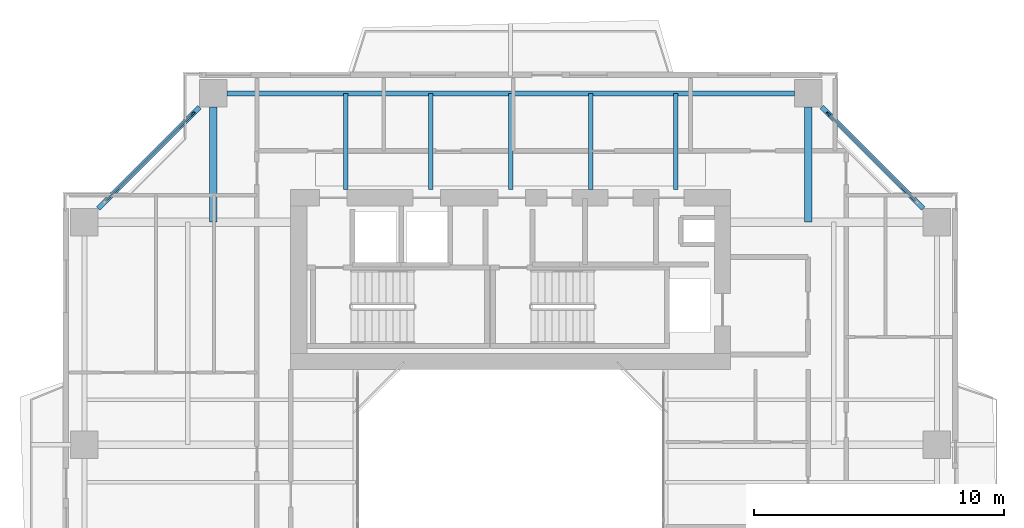
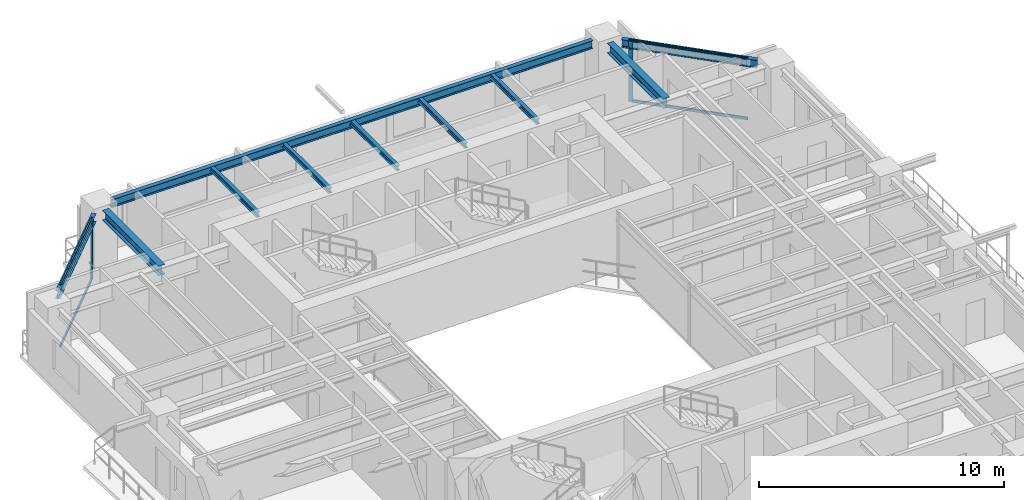
# One storey, part 8 of 17: 10 beams, 6 members, 2 elements without a shape of their own.
"""IFC4 building model written with IfcOpenShell, lengths in metres."""

from ifc_helpers import new_model, si_unit, direction, frame, origin, origin_2d, place, context, subcontext, project, spatial, rectangle, i_section, extrude, source, transform, mapped, material, layer, layer_set, material_profile, profile_set, type_object, element, aggregate, save


model = new_model("IFC4")

# Units and contexts
model_context = context("Model", 3, precision=1e-05, world=origin(), true_north=direction((0.0, 1.0)))
body_context = subcontext(model_context, "Body", "Model", "MODEL_VIEW")
ifc_project = project(units=[si_unit("LENGTHUNIT", "METRE"), si_unit("AREAUNIT", "SQUARE_METRE"), si_unit("VOLUMEUNIT", "CUBIC_METRE"), si_unit("PLANEANGLEUNIT", "RADIAN"), si_unit("MASSUNIT", "GRAM", prefix="KILO"), si_unit("THERMODYNAMICTEMPERATUREUNIT", "KELVIN"), si_unit("POWERUNIT", "WATT")], contexts=[model_context])

# Site, building, storey
site_placement = place(None, origin())
site = spatial("IfcSite", under=ifc_project, at=site_placement, CompositionType="ELEMENT")
building_placement = place(site_placement, origin())
building = spatial("IfcBuilding", under=site, at=building_placement, Name="Qiaomeng Ring Towers", CompositionType="ELEMENT")
storey_placement = place(building_placement, frame((0.0, 0.0, 119.75)))
storey = spatial("IfcBuildingStorey", under=building, at=storey_placement, Name="L34", CompositionType="ELEMENT", Elevation=119.75)

# Beams
ifc_material_1 = material(Name="Steel Q355B", Category="steel")
ifc_material_profile_1 = material_profile(ifc_material_1, i_section(OverallWidth=0.199951171875, OverallDepth=0.39990234375, WebThickness=0.008056640625, FlangeThickness=0.012939453125, FilletRadius=0.01611328125, at=origin_2d()), Name="HN 400x200x8x13")
ifc_profile_set_1 = profile_set([ifc_material_profile_1], Name="Steel Q355B")
beam_type_1 = type_object("IfcBeamType", Name="STR-BM-HN400", PredefinedType="SPANDREL", material=ifc_profile_set_1)
shared_shape_1 = source(origin(), body_context, "Body", "SweptSolid", [
    extrude(i_section(OverallWidth=0.199951171875, OverallDepth=0.39990234375, WebThickness=0.008056640625, FlangeThickness=0.012939453125, FilletRadius=0.01611328125, at=origin_2d()), origin(), (0.0, 0.0, 1.0), 22.7021484375),
])
beam_placement = place(storey_placement, frame((30.35107421875, 40.050048828125, 2.8701171875), z_axis=(-1.0, 0.0, 0.0), x_axis=(0.0, -1.0, 0.0)))
element("IfcBeam", 1, at=beam_placement, inside=storey, type_object=beam_type_1, Name="L34 beam STR-SP-L34-T1-N2-N1", PredefinedType="SPANDREL", context=body_context, shape_type="MappedRepresentation", body=[
    mapped(shared_shape_1, transform((0.0, 0.0, 0.0), x_axis=(1.0, 0.0, 0.0), y_axis=(0.0, 1.0, 0.0), z_axis=(0.0, 0.0, 1.0), scale=1.0)),
])
shared_shape_2 = source(origin(), body_context, "Body", "SweptSolid", [
    extrude(i_section(OverallWidth=0.199951171875, OverallDepth=0.39990234375, WebThickness=0.008056640625, FlangeThickness=0.012939453125, FilletRadius=0.01611328125, at=origin_2d()), origin(), (0.0, 0.0, 1.0), 5.729736328125),
])
for number, where, z_axis, x_axis, name in (
    (2, (35.500732421875, 35.44921875, 2.8701171875), (-0.707106781187, 0.707106781187, 0.0), (-0.707106781187, -0.707106781187, 0.0), "L34 beam STR-SP-L34-T1-E4-N2"),
    (3, (6.55078125, 39.500732421875, 2.8701171875), (-0.707106781187, -0.707106781187, 0.0), (0.707106781187, -0.707106781187, 0.0), "L34 beam STR-SP-L34-T1-N1-W4"),
):
    element("IfcBeam", number, at=place(storey_placement, frame(where, z_axis=z_axis, x_axis=x_axis)), inside=storey, type_object=beam_type_1, Name=name, PredefinedType="SPANDREL", context=body_context, shape_type="MappedRepresentation", body=[
        mapped(shared_shape_2, transform((0.0, 0.0, 0.0), x_axis=(1.0, 0.0, 0.0), y_axis=(0.0, 1.0, 0.0), z_axis=(0.0, 0.0, 1.0), scale=1.0)),
    ])
ifc_material_profile_2 = material_profile(ifc_material_1, i_section(OverallWidth=0.300048828125, OverallDepth=0.488037109375, WebThickness=0.010986328125, FlangeThickness=0.01806640625, FilletRadius=0.02587890625, at=origin_2d()), Name="HM 488x300x11x18")
ifc_profile_set_2 = profile_set([ifc_material_profile_2], Name="Steel Q355B")
beam_type_2 = type_object("IfcBeamType", Name="STR-BM-HM488", PredefinedType="BEAM", material=ifc_profile_set_2)
shared_shape_3 = source(origin(), body_context, "Body", "SweptSolid", [
    extrude(i_section(OverallWidth=0.300048828125, OverallDepth=0.488037109375, WebThickness=0.010986328125, FlangeThickness=0.01806640625, FilletRadius=0.02587890625, at=origin_2d()), origin(), (0.0, 0.0, 1.0), 4.60107421875),
])
for number, where, z_axis, x_axis, name in (
    (4, (7.10009765625, 39.5009765625, 2.825927734375), (0.0, -1.0, 0.0), (1.0, 0.0, 0.0), "L34 beam STR-BM-L34-T1-RAD-N1"),
    (5, (30.89990234375, 39.5009765625, 2.825927734375), (0.0, -1.0, 0.0), (1.0, 0.0, 0.0), "L34 beam STR-BM-L34-T1-RAD-N2"),
):
    element("IfcBeam", number, at=place(storey_placement, frame(where, z_axis=z_axis, x_axis=x_axis)), inside=storey, type_object=beam_type_2, Name=name, PredefinedType="BEAM", context=body_context, shape_type="MappedRepresentation", body=[
        mapped(shared_shape_3, transform((0.0, 0.0, 0.0), x_axis=(1.0, 0.0, 0.0), y_axis=(0.0, 1.0, 0.0), z_axis=(0.0, 0.0, 1.0), scale=1.0)),
    ])
ifc_material_profile_3 = material_profile(ifc_material_1, i_section(OverallWidth=0.175048828125, OverallDepth=0.243896484375, WebThickness=0.007080078125, FlangeThickness=0.010986328125, FilletRadius=0.01611328125, at=origin_2d()), Name="HM 244x175x7x11")
ifc_profile_set_3 = profile_set([ifc_material_profile_3], Name="Steel Q355B")
beam_type_3 = type_object("IfcBeamType", Name="STR-BM-HM244", PredefinedType="JOIST", material=ifc_profile_set_3)
shared_shape_4 = source(origin(), body_context, "Body", "SweptSolid", [
    extrude(i_section(OverallWidth=0.175048828125, OverallDepth=0.243896484375, WebThickness=0.007080078125, FlangeThickness=0.010986328125, FilletRadius=0.01611328125, at=origin_2d()), origin(), (0.0, 0.0, 1.0), 3.85009765625),
])
for number, where, z_axis, x_axis, name in (
    (6, (12.39990234375, 36.199951171875, 2.947998046875), (0.0, 1.0, 0.0), (-1.0, 0.0, 0.0), "L34 beam STR-JST-L34-T1N-1"),
    (7, (15.800048828125, 36.199951171875, 2.947998046875), (0.0, 1.0, 0.0), (-1.0, 0.0, 0.0), "L34 beam STR-JST-L34-T1N-2"),
    (8, (19.0, 36.199951171875, 2.947998046875), (0.0, 1.0, 0.0), (-1.0, 0.0, 0.0), "L34 beam STR-JST-L34-T1N-3"),
    (9, (22.199951171875, 36.199951171875, 2.947998046875), (0.0, 1.0, 0.0), (-1.0, 0.0, 0.0), "L34 beam STR-JST-L34-T1N-4"),
    (10, (25.60009765625, 36.199951171875, 2.947998046875), (0.0, 1.0, 0.0), (-1.0, 0.0, 0.0), "L34 beam STR-JST-L34-T1N-5"),
):
    element("IfcBeam", number, at=place(storey_placement, frame(where, z_axis=z_axis, x_axis=x_axis)), inside=storey, type_object=beam_type_3, Name=name, PredefinedType="JOIST", context=body_context, shape_type="MappedRepresentation", body=[
        mapped(shared_shape_4, transform((0.0, 0.0, 0.0), x_axis=(1.0, 0.0, 0.0), y_axis=(0.0, 1.0, 0.0), z_axis=(0.0, 0.0, 1.0), scale=1.0)),
    ])

# Curtain wall, member
ifc_material_2 = material(Name="Fluorocarbon dark-grey aluminium", Category="aluminium")
ifc_layer = layer(ifc_material_2, 0.14990234375, Name="Fluorocarbon dark-grey aluminium")
ifc_layer_set = layer_set([ifc_layer], Name="Fluorocarbon dark-grey aluminium")
curtain_wall_type = type_object("IfcCurtainWallType", Name="ARC-CW-3", PredefinedType="NOTDEFINED", material=ifc_layer_set)
curtain_wall_1_placement = place(storey_placement, origin())
curtain_wall_1 = element("IfcCurtainWall", 11, at=curtain_wall_1_placement, inside=storey, type_object=curtain_wall_type, Name="L34 Curtain Wall CW3", PredefinedType="NOTDEFINED")
ifc_material_profile_4 = material_profile(ifc_material_2, rectangle(XDim=0.070068359375, YDim=0.179931640625, at=origin_2d()), Name="ALU MULL 70x180")
ifc_profile_set_4 = profile_set([ifc_material_profile_4], Name="Fluorocarbon dark-grey aluminium")
member_type_1 = type_object("IfcMemberType", Name="ARC-CWM-160", PredefinedType="MULLION", material=ifc_profile_set_4)
shared_shape_5 = source(origin(), body_context, "Body", "SweptSolid", [
    extrude(rectangle(XDim=0.070068359375, YDim=0.179931640625, at=origin_2d()), origin(), (0.0, 0.0, 1.0), 3.070068359375),
])
member_1_placement = place(storey_placement, frame((31.71484375, 39.2353515625, 0.0), z_axis=(0.0, 0.0, 1.0), x_axis=(-0.707106781187, -0.707106781187, 0.0)))
member_1 = element("IfcMember", 12, at=member_1_placement, type_object=member_type_1, Name="CW3 mullion 2", PredefinedType="MULLION", context=body_context, shape_type="MappedRepresentation", body=[
    mapped(shared_shape_5, transform((0.0, 0.0, 0.0), x_axis=(1.0, 0.0, 0.0), y_axis=(0.0, 1.0, 0.0), z_axis=(0.0, 0.0, 1.0), scale=1.0)),
])

curtain_wall_2_placement = place(storey_placement, origin())
curtain_wall_2 = element("IfcCurtainWall", 13, at=curtain_wall_2_placement, inside=storey, type_object=curtain_wall_type, Name="L34 Curtain Wall CW3", PredefinedType="NOTDEFINED")
member_2_placement = place(storey_placement, frame((6.28515625, 39.2353515625, 0.0), z_axis=(0.0, 0.0, 1.0), x_axis=(0.707106781187, -0.707106781187, 0.0)))
member_2 = element("IfcMember", 14, at=member_2_placement, type_object=member_type_1, Name="CW3 mullion 1", PredefinedType="MULLION", context=body_context, shape_type="MappedRepresentation", body=[
    mapped(shared_shape_5, transform((0.0, 0.0, 0.0), x_axis=(1.0, 0.0, 0.0), y_axis=(0.0, 1.0, 0.0), z_axis=(0.0, 0.0, 1.0), scale=1.0)),
])

# Member
ifc_material_profile_5 = material_profile(ifc_material_2, rectangle(XDim=0.06494140625, YDim=0.1298828125, at=origin_2d()), Name="ALU TRAN 65x130")
ifc_profile_set_5 = profile_set([ifc_material_profile_5], Name="Fluorocarbon dark-grey aluminium")
member_type_2 = type_object("IfcMemberType", Name="ARC-CWT-120", PredefinedType="USERDEFINED", material=ifc_profile_set_5)
shared_shape_6 = source(origin(), body_context, "Body", "SweptSolid", [
    extrude(rectangle(XDim=0.06494140625, YDim=0.1298828125, at=origin_2d()), origin(), (0.0, 0.0, 1.0), 4.90869140625),
])
member_3_placement = place(storey_placement, frame((35.21044921875, 35.739501953125, 0.032470703125), z_axis=(-0.707106781187, 0.707106781187, 0.0), x_axis=(-0.707106781187, -0.707106781187, 0.0)))
member_3 = element("IfcMember", 15, at=member_3_placement, type_object=member_type_2, Name="CW3 transom 1.1", ObjectType="TRANSOM", PredefinedType="USERDEFINED", context=body_context, shape_type="MappedRepresentation", body=[
    mapped(shared_shape_6, transform((0.0, 0.0, 0.0), x_axis=(1.0, 0.0, 0.0), y_axis=(0.0, 1.0, 0.0), z_axis=(0.0, 0.0, 1.0), scale=1.0)),
])

member_4_placement = place(storey_placement, frame((35.21044921875, 35.739501953125, 3.03759765625), z_axis=(-0.707106781187, 0.707106781187, 0.0), x_axis=(-0.707106781187, -0.707106781187, 0.0)))
member_4 = element("IfcMember", 16, at=member_4_placement, type_object=member_type_2, Name="CW3 transom 1.2", ObjectType="TRANSOM", PredefinedType="USERDEFINED", context=body_context, shape_type="MappedRepresentation", body=[
    mapped(shared_shape_6, transform((0.0, 0.0, 0.0), x_axis=(1.0, 0.0, 0.0), y_axis=(0.0, 1.0, 0.0), z_axis=(0.0, 0.0, 1.0), scale=1.0)),
])

aggregate(curtain_wall_1, [member_1, member_3, member_4])

member_5_placement = place(storey_placement, frame((6.260498046875, 39.21044921875, 0.032470703125), z_axis=(-0.707106781187, -0.707106781187, 0.0), x_axis=(0.707106781187, -0.707106781187, 0.0)))
member_5 = element("IfcMember", 17, at=member_5_placement, type_object=member_type_2, Name="CW3 transom 1.1", ObjectType="TRANSOM", PredefinedType="USERDEFINED", context=body_context, shape_type="MappedRepresentation", body=[
    mapped(shared_shape_6, transform((0.0, 0.0, 0.0), x_axis=(1.0, 0.0, 0.0), y_axis=(0.0, 1.0, 0.0), z_axis=(0.0, 0.0, 1.0), scale=1.0)),
])

member_6_placement = place(storey_placement, frame((6.260498046875, 39.21044921875, 3.03759765625), z_axis=(-0.707106781187, -0.707106781187, 0.0), x_axis=(0.707106781187, -0.707106781187, 0.0)))
member_6 = element("IfcMember", 18, at=member_6_placement, type_object=member_type_2, Name="CW3 transom 1.2", ObjectType="TRANSOM", PredefinedType="USERDEFINED", context=body_context, shape_type="MappedRepresentation", body=[
    mapped(shared_shape_6, transform((0.0, 0.0, 0.0), x_axis=(1.0, 0.0, 0.0), y_axis=(0.0, 1.0, 0.0), z_axis=(0.0, 0.0, 1.0), scale=1.0)),
])

aggregate(curtain_wall_2, [member_2, member_5, member_6])

save(model, "model.ifc")
